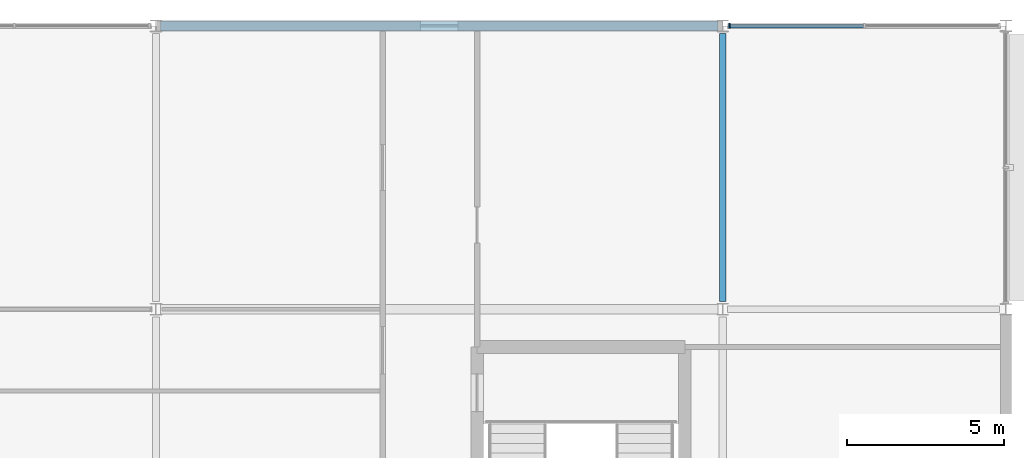
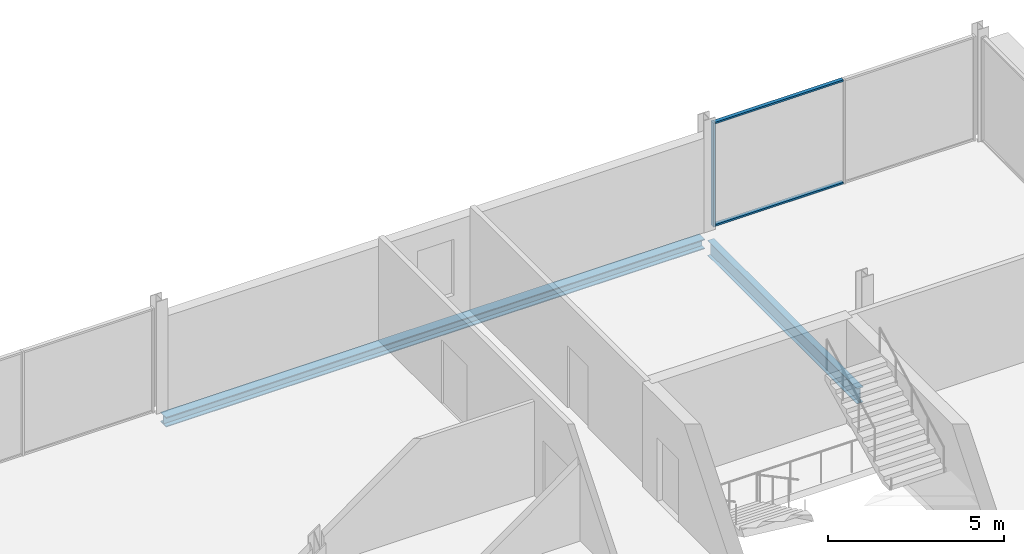
# One storey, part 51 of 98: 3 members, 2 beams, 1 element without a shape of its own.
"""IFC4 building model written with IfcOpenShell, lengths in metres."""

from ifc_helpers import new_model, si_unit, direction, frame, origin, origin_2d, place, context, subcontext, project, spatial, rectangle, i_section, extrude, material, layer, layer_set, material_profile, profile_set, type_object, element, aggregate, save


model = new_model("IFC4")

# Units and contexts
model_context = context("Model", 3, precision=1e-05, world=origin(), true_north=direction((0.0, 1.0)))
body_context = subcontext(model_context, "Body", "Model", "MODEL_VIEW")
ifc_project = project(units=[si_unit("LENGTHUNIT", "METRE"), si_unit("AREAUNIT", "SQUARE_METRE"), si_unit("VOLUMEUNIT", "CUBIC_METRE"), si_unit("PLANEANGLEUNIT", "RADIAN"), si_unit("MASSUNIT", "GRAM", prefix="KILO")], contexts=[model_context])

# Site, building, storey
site_placement = place(None, origin())
site = spatial("IfcSite", under=ifc_project, at=site_placement, CompositionType="ELEMENT")
building_placement = place(site_placement, origin())
building = spatial("IfcBuilding", under=site, at=building_placement, Name="Kisiwana Market Hall", CompositionType="ELEMENT")
storey_placement = place(building_placement, frame((0.0, 0.0, 29.39990234375)))
storey = spatial("IfcBuildingStorey", under=building, at=storey_placement, Name="L06", CompositionType="ELEMENT", Elevation=29.39990234375)

# Beams
ifc_material_1 = material(Name="Steel S355", Category="steel")
ifc_material_profile_1 = material_profile(ifc_material_1, i_section(OverallWidth=0.209228515625, OverallDepth=0.533203125, WebThickness=0.010009765625, FlangeThickness=0.015625, at=origin_2d()), Name="UB 533x210x92")
ifc_profile_set_1 = profile_set([ifc_material_profile_1], Name="Steel S355")
beam_type_1 = type_object("IfcBeamType", Name="BM-GIRD-UB533", PredefinedType="BEAM", material=ifc_profile_set_1)
beam_1_placement = place(storey_placement, frame((189.0, 102.24609375, -0.511474609375), z_axis=(0.0, 1.0, 0.0), x_axis=(-1.0, 0.0, 0.0)))
element("IfcBeam", 1, at=beam_1_placement, inside=storey, type_object=beam_type_1, Name="Primary girder B-1746", PredefinedType="BEAM", context=body_context, shape_type="SweptSolid", body=[
    extrude(i_section(OverallWidth=0.209228515625, OverallDepth=0.533203125, WebThickness=0.010009765625, FlangeThickness=0.015625, at=origin_2d()), origin(), (0.0, 0.0, 1.0), 8.5078125),
])
ifc_material_2 = material(Name="Steel S355", Category="steel")
ifc_material_profile_2 = material_profile(ifc_material_2, i_section(OverallWidth=0.314453125, OverallDepth=0.33984375, WebThickness=0.01904296875, FlangeThickness=0.031494140625, at=origin_2d()), Name="UC 305x305x198")
ifc_profile_set_2 = profile_set([ifc_material_profile_2], Name="Steel S355")
beam_type_2 = type_object("IfcBeamType", Name="BM-SKYBR-CHORD", PredefinedType="BEAM", material=ifc_profile_set_2)
beam_2_placement = place(storey_placement, frame((171.14599609375, 111.0, -0.414794921875), z_axis=(1.0, 0.0, 0.0), x_axis=(0.0, 1.0, 0.0)))
element("IfcBeam", 2, at=beam_2_placement, inside=storey, type_object=beam_type_2, Name="Floor beam B-1847", PredefinedType="BEAM", context=body_context, shape_type="SweptSolid", body=[
    extrude(i_section(OverallWidth=0.314453125, OverallDepth=0.33984375, WebThickness=0.01904296875, FlangeThickness=0.031494140625, at=origin_2d()), origin(), (0.0, 0.0, 1.0), 17.7080078125),
])

# Curtain wall, members
ifc_material_3 = material(Name="Double-glazed solar-control low-E IGU", Category="glass")
ifc_layer = layer(ifc_material_3, 0.159912109375)
ifc_layer_set = layer_set([ifc_layer], Name="CW-ZNA-EW-8200")
curtain_wall_type = type_object("IfcCurtainWallType", Name="CW-ZNA-EW-8200", PredefinedType="USERDEFINED", material=ifc_layer_set)
curtain_wall_placement = place(storey_placement, origin())
curtain_wall = element("IfcCurtainWall", 3, at=curtain_wall_placement, inside=storey, type_object=curtain_wall_type, Name="Unitised curtain wall CW-198 (L06)", ObjectType="UNITISED CURTAIN WALL", PredefinedType="USERDEFINED")
ifc_material_4 = material(Name="Aluminium alloy 6063-T6", Category="aluminium")
ifc_material_profile_3 = material_profile(ifc_material_4, rectangle(XDim=0.06005859375, YDim=0.159912109375, at=origin_2d()), Name="ALU MULLION 60x160")
ifc_profile_set_3 = profile_set([ifc_material_profile_3], Name="Aluminium alloy 6063-T6")
member_type_1 = type_object("IfcMemberType", Name="CW-MULL-60x160", PredefinedType="MULLION", material=ifc_profile_set_3)
member_1_placement = place(storey_placement, frame((189.21728515625, 111.0, 0.0), z_axis=(0.0, 0.0, 1.0), x_axis=(1.0, 0.0, 0.0)))
member_1 = element("IfcMember", 4, at=member_1_placement, type_object=member_type_1, Name="CW-198 mullion 1", PredefinedType="MULLION", context=body_context, shape_type="SweptSolid", body=[
    extrude(rectangle(XDim=0.06005859375, YDim=0.159912109375, at=origin_2d()), origin(), (0.0, 0.0, 1.0), 3.6201171875),
])
ifc_material_5 = material(Name="Aluminium alloy 6063-T6", Category="aluminium")
ifc_material_profile_4 = material_profile(ifc_material_5, rectangle(XDim=0.1201171875, YDim=0.06005859375, at=origin_2d()), Name="ALU TRANSOM 60x120")
ifc_profile_set_4 = profile_set([ifc_material_profile_4], Name="Aluminium alloy 6063-T6")
member_type_2 = type_object("IfcMemberType", Name="CW-TRAN-60x120", PredefinedType="USERDEFINED", material=ifc_profile_set_4)
member_2_placement = place(storey_placement, frame((189.247314453125, 111.0, 0.030029296875), z_axis=(1.0, 0.0, 0.0), x_axis=(0.0, 1.0, 0.0)))
member_2 = element("IfcMember", 5, at=member_2_placement, type_object=member_type_2, Name="CW-198 transom 1.1", ObjectType="TRANSOM", PredefinedType="USERDEFINED", context=body_context, shape_type="SweptSolid", body=[
    extrude(rectangle(XDim=0.1201171875, YDim=0.06005859375, at=origin_2d()), origin(), (0.0, 0.0, 1.0), 4.223876953125),
])
member_3_placement = place(storey_placement, frame((189.247314453125, 111.0, 3.590087890625), z_axis=(1.0, 0.0, 0.0), x_axis=(0.0, 1.0, 0.0)))
member_3 = element("IfcMember", 6, at=member_3_placement, type_object=member_type_2, Name="CW-198 transom 1.2", ObjectType="TRANSOM", PredefinedType="USERDEFINED", context=body_context, shape_type="SweptSolid", body=[
    extrude(rectangle(XDim=0.1201171875, YDim=0.06005859375, at=origin_2d()), origin(), (0.0, 0.0, 1.0), 4.223876953125),
])
aggregate(curtain_wall, [member_1, member_2, member_3])

save(model, "model.ifc")
